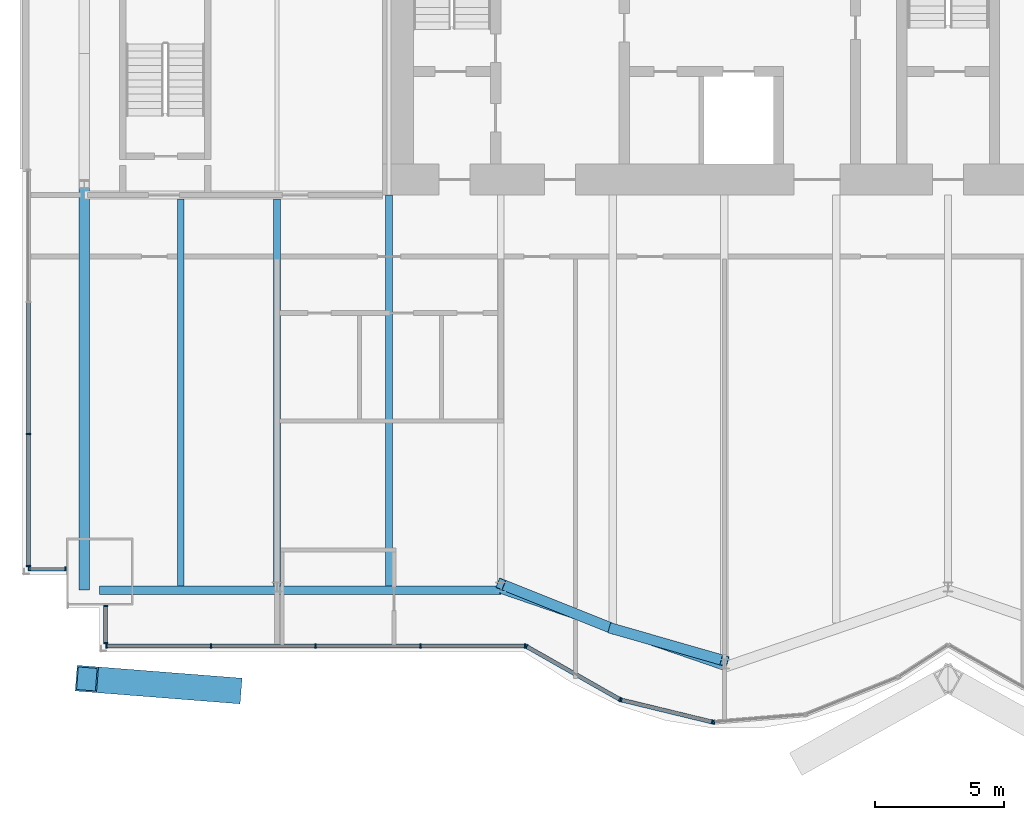
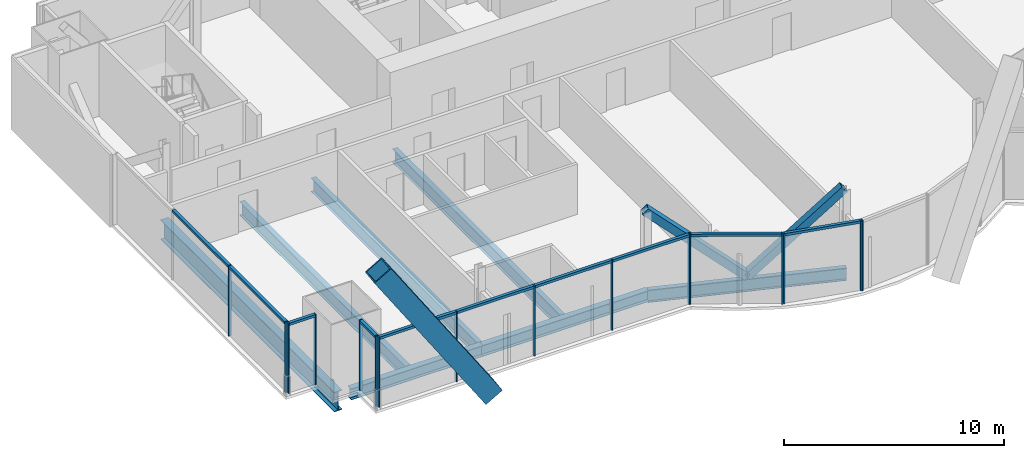
# One storey, part 5 of 20: 29 members, 7 beams, 5 elements without a shape of their own.
"""IFC4 building model written with IfcOpenShell, lengths in metres."""

import ifcopenshell
import ifcopenshell.guid

model = None  # the IFC model being written
_history = None  # IfcOwnerHistory: only IFC2X3 demands one
_inside = {}  # id of a spatial element -> (the spatial element, [elements in it])
_under = {}  # id of a project, library or spatial element -> (it, [spatial elements below it])
_declared = {}  # id of a project -> (the project, [libraries it declares])
_typed = {}  # id of a type object -> (the type object, [elements of that type])
_made_of = {}  # id of a material, layer set ... -> (it, [elements and type objects made of it])


def new_model(schema):
    """Start an empty IFC model of exactly this schema.

    Asked for "IFC4X3", IfcOpenShell would pick the latest addendum, in which some entities
    have other attributes; the version numbers below select the first issue.
    IFC2X3 requires an IfcOwnerHistory on every rooted entity: one is made here for all.
    """
    global model, _history
    if schema == "IFC4X3":
        model = ifcopenshell.file(schema_version=(4, 3, 0, 0))
    else:
        model = ifcopenshell.file(schema=schema)
    _inside.clear()
    _under.clear()
    _declared.clear()
    _typed.clear()
    _made_of.clear()
    _history = None
    if model.schema == "IFC2X3":
        org = make("IfcOrganization", Name="unknown")
        user = make(
            "IfcPersonAndOrganization",
            ThePerson=make("IfcPerson", FamilyName="unknown"),
            TheOrganization=org,
        )
        app = make(
            "IfcApplication",
            ApplicationDeveloper=org,
            Version="unknown",
            ApplicationFullName="unknown",
            ApplicationIdentifier="unknown",
        )
        _history = make(
            "IfcOwnerHistory",
            OwningUser=user,
            OwningApplication=app,
            ChangeAction="ADDED",
            CreationDate=0,
        )
    return model


def make(cls, **values):
    """One entity of the class cls with the attributes given. An attribute that is None is left unset."""
    return model.create_entity(
        cls, **{name: value for name, value in values.items() if value is not None}
    )


def rooted(cls, **values):
    """An entity with a GlobalId (a new one), such as an element, a storey or a relation."""
    return make(cls, GlobalId=ifcopenshell.guid.new(), OwnerHistory=_history, **values)


def si_unit(unit_type, name, prefix=None):
    """IfcSIUnit, for example si_unit("LENGTHUNIT", "METRE", prefix="MILLI")."""
    return make("IfcSIUnit", UnitType=unit_type, Prefix=prefix, Name=name)


def assignment(units):
    """IfcUnitAssignment: the units of a project."""
    return None if units is None else make("IfcUnitAssignment", Units=units)


def point(xyz):
    """IfcCartesianPoint."""
    return None if xyz is None else make("IfcCartesianPoint", Coordinates=xyz)


def direction(xyz):
    """IfcDirection."""
    return None if xyz is None else make("IfcDirection", DirectionRatios=xyz)


def frame(location, z_axis=None, x_axis=None):
    """IfcAxis2Placement3D, a coordinate frame: its origin and axes. An axis left out is left unset."""
    return make(
        "IfcAxis2Placement3D",
        Location=point(location),
        Axis=direction(z_axis),
        RefDirection=direction(x_axis),
    )


def frame_2d(location, x_axis=None):
    """IfcAxis2Placement2D, a coordinate frame in the plane: its origin and x axis."""
    return make(
        "IfcAxis2Placement2D", Location=point(location), RefDirection=direction(x_axis)
    )


def origin():
    """The frame at (0, 0, 0) with its axes left unset."""
    return frame((0.0, 0.0, 0.0))


def origin_2d():
    """The frame at (0, 0) in the plane with its x axis left unset."""
    return frame_2d((0.0, 0.0))


def place(relative_to, where):
    """IfcLocalPlacement: puts the frame where relative to a parent placement (None: the world)."""
    return make(
        "IfcLocalPlacement", PlacementRelTo=relative_to, RelativePlacement=where
    )


def context(
    kind, dimensions, precision=None, world=None, true_north=None, identifier=None
):
    """IfcGeometricRepresentationContext, for example the 3D "Model" context."""
    return make(
        "IfcGeometricRepresentationContext",
        ContextIdentifier=identifier,
        ContextType=kind,
        CoordinateSpaceDimension=dimensions,
        Precision=precision,
        WorldCoordinateSystem=world,
        TrueNorth=true_north,
    )


def subcontext(parent, identifier, kind, view, scale=None):
    """IfcGeometricRepresentationSubContext, for example "Body" below "Model"."""
    return make(
        "IfcGeometricRepresentationSubContext",
        ContextIdentifier=identifier,
        ContextType=kind,
        ParentContext=parent,
        TargetScale=scale,
        TargetView=view,
    )


def project(units=None, contexts=None):
    """IfcProject with its units and contexts."""
    return rooted(
        "IfcProject",
        Name="project",
        RepresentationContexts=contexts,
        UnitsInContext=assignment(units),
    )


def spatial(cls, under=None, at=None, **own):
    """A site, building, storey or space (cls), placed at a placement, below another one or the project."""
    s = rooted(cls, ObjectPlacement=at, **own)
    if under is not None:
        _under.setdefault(under.id(), (under, []))[1].append(s)
    return s


def profile(cls, at=None, kind="AREA", **sizes):
    """A parametric profile (cls). Its sizes go by their IFC names, for example OverallWidth=200.0."""
    return make(cls, ProfileType=kind, Position=at, **sizes)


def rectangle(**sizes):
    """IfcRectangleProfileDef."""
    return profile("IfcRectangleProfileDef", **sizes)


def hollow_rectangle(**sizes):
    """IfcRectangleHollowProfileDef."""
    return profile("IfcRectangleHollowProfileDef", **sizes)


def i_section(**sizes):
    """IfcIShapeProfileDef."""
    return profile("IfcIShapeProfileDef", **sizes)


def extrude(swept, where, along, depth):
    """IfcExtrudedAreaSolid: the profile swept, set in the frame where, extruded along a direction by depth."""
    return make(
        "IfcExtrudedAreaSolid",
        SweptArea=swept,
        Position=where,
        ExtrudedDirection=direction(along),
        Depth=depth,
    )


def shape(context_of_items, identifier, shape_type, items):
    """IfcShapeRepresentation: the items that make up one representation, for example the "Body"."""
    return make(
        "IfcShapeRepresentation",
        ContextOfItems=context_of_items,
        RepresentationIdentifier=identifier,
        RepresentationType=shape_type,
        Items=items,
    )


def material(Name=None, Category=None):
    """IfcMaterial."""
    return make("IfcMaterial", Name=Name, Category=Category)


def material_profile(
    of_material, cross_section, Name=None, Category=None, Priority=None
):
    """IfcMaterialProfile: a cross section and its material."""
    return make(
        "IfcMaterialProfile",
        Name=Name,
        Material=of_material,
        Profile=cross_section,
        Priority=Priority,
        Category=Category,
    )


def profile_set(profiles, Name=None, composite=None):
    """IfcMaterialProfileSet."""
    return make(
        "IfcMaterialProfileSet",
        Name=Name,
        MaterialProfiles=profiles,
        CompositeProfile=composite,
    )


def made_of(thing, what):
    """Note that an element or type object is made of a material, layer set ...; save() writes the relation."""
    if what is not None:
        _made_of.setdefault(what.id(), (what, []))[1].append(thing)
    return thing


def type_object(cls, material=None, **own):
    """A type object (cls), such as IfcWallType, which elements share."""
    return made_of(rooted(cls, **own), material)


def element(
    cls,
    number,
    at=None,
    inside=None,
    cuts=None,
    type_object=None,
    material=None,
    context=None,
    identifier="Body",
    shape_type=None,
    held_by="IfcProductDefinitionShape",
    body=None,
    shapes=None,
    **own,
):
    """One element of the class cls, such as IfcWall. Its Tag is "e" and its number.

    at: its placement. inside: the storey or other place that contains it. cuts: it is an
    opening in that element (IfcRelVoidsElement). A single representation is given by context,
    identifier, shape_type and body (its items); several are given by shapes. held_by: the class
    of the entity that holds the representations. save() writes the other relations.
    """
    e = rooted(cls, Tag="e%d" % number, ObjectPlacement=at, **own)
    if body is not None:
        shapes = [shape(context, identifier, shape_type, body)]
    if shapes is not None:
        e.Representation = make(held_by, Representations=shapes)
    if inside is not None:
        _inside.setdefault(inside.id(), (inside, []))[1].append(e)
    if cuts is not None:
        rooted(
            "IfcRelVoidsElement", RelatingBuildingElement=cuts, RelatedOpeningElement=e
        )
    if type_object is not None:
        _typed.setdefault(type_object.id(), (type_object, []))[1].append(e)
    return made_of(e, material)


def aggregate(whole, parts):
    """IfcRelAggregates: a whole, such as a stair, and the parts it consists of."""
    return rooted("IfcRelAggregates", RelatingObject=whole, RelatedObjects=parts)


def save(model, path):
    """Write the relations noted so far, then the file.

    IfcRelAggregates (storeys below a building ...), IfcRelContainedInSpatialStructure (elements
    in a storey), IfcRelDefinesByType, IfcRelAssociatesMaterial and IfcRelDeclares: one each for
    every whole, place, type object, material and project.
    """
    for whole, parts in _under.values():
        aggregate(whole, parts)
    for where, things in _inside.values():
        rooted(
            "IfcRelContainedInSpatialStructure",
            RelatedElements=things,
            RelatingStructure=where,
        )
    for kind, things in _typed.values():
        rooted("IfcRelDefinesByType", RelatedObjects=things, RelatingType=kind)
    for what, things in _made_of.values():
        rooted("IfcRelAssociatesMaterial", RelatedObjects=things, RelatingMaterial=what)
    for by, libraries in _declared.values():
        rooted("IfcRelDeclares", RelatingContext=by, RelatedDefinitions=libraries)
    model.write(path)


model = new_model("IFC4")

# Units and contexts
model_context = context("Model", 3, precision=1e-05, world=origin(), true_north=direction((0.0, 1.0)))
body_context = subcontext(model_context, "Body", "Model", "MODEL_VIEW")
ifc_project = project(units=[si_unit("LENGTHUNIT", "METRE"), si_unit("AREAUNIT", "SQUARE_METRE"), si_unit("VOLUMEUNIT", "CUBIC_METRE"), si_unit("PLANEANGLEUNIT", "RADIAN"), si_unit("MASSUNIT", "GRAM", prefix="KILO")], contexts=[model_context])

# Site, building, storey
site_placement = place(None, origin())
site = spatial("IfcSite", under=ifc_project, at=site_placement, CompositionType="ELEMENT")
building_placement = place(site_placement, origin())
building = spatial("IfcBuilding", under=site, at=building_placement, Name="Bicima Exchange Tower", CompositionType="ELEMENT")
storey_placement = place(building_placement, frame((0.0, 0.0, 231.89990234375)))
storey = spatial("IfcBuildingStorey", under=building, at=storey_placement, Name="L52", CompositionType="ELEMENT", Elevation=231.89990234375)

# Curtain wall, members
ifc_material_1 = material(Name="Anodised bronze aluminium", Category="aluminium")
curtain_wall_type_1 = type_object("IfcCurtainWallType", Name="End face glass wall", PredefinedType="NOTDEFINED", material=ifc_material_1)
curtain_wall_1_placement = place(storey_placement, origin())
curtain_wall_1 = element("IfcCurtainWall", 1, at=curtain_wall_1_placement, inside=storey, type_object=curtain_wall_type_1, Name="End face glass wall L52 run 2", PredefinedType="NOTDEFINED")
ifc_material_profile_1 = material_profile(ifc_material_1, rectangle(XDim=0.159912109375, YDim=0.06005859375, at=origin_2d()))
ifc_profile_set_1 = profile_set([ifc_material_profile_1], Name="Anodised bronze aluminium")
member_type_1 = type_object("IfcMemberType", Name="End face glass wall mullion 60 x 160", PredefinedType="MULLION", material=ifc_profile_set_1)
member_1_placement = place(storey_placement, frame((-35.77001953125, -22.30078125, 0.0), z_axis=(0.0, 0.0, 1.0), x_axis=(1.0, 0.0, 0.0)))
member_1 = element("IfcMember", 2, at=member_1_placement, type_object=member_type_1, Name="End face glass wall mullion 3", PredefinedType="MULLION", context=body_context, shape_type="SweptSolid", body=[
    extrude(rectangle(XDim=0.159912109375, YDim=0.06005859375, at=origin_2d()), origin(), (0.0, 0.0, 1.0), 3.900146484375),
])
member_2_placement = place(storey_placement, frame((-35.77001953125, -27.43603515625, 0.0), z_axis=(0.0, 0.0, 1.0), x_axis=(1.0, 0.0, 0.0)))
member_2 = element("IfcMember", 3, at=member_2_placement, type_object=member_type_1, Name="End face glass wall mullion 4", PredefinedType="MULLION", context=body_context, shape_type="SweptSolid", body=[
    extrude(rectangle(XDim=0.159912109375, YDim=0.06005859375, at=origin_2d()), origin(), (0.0, 0.0, 1.0), 3.900146484375),
])
ifc_material_profile_2 = material_profile(ifc_material_1, rectangle(XDim=0.159912109375, YDim=0.139892578125, at=origin_2d()))
ifc_profile_set_2 = profile_set([ifc_material_profile_2], Name="Anodised bronze aluminium")
member_type_2 = type_object("IfcMemberType", Name="End face glass wall transom 140 x 160", PredefinedType="USERDEFINED", material=ifc_profile_set_2)
member_3_placement = place(storey_placement, frame((-35.77001953125, -17.1953125, 3.830078125), z_axis=(0.0, -1.0, 0.0), x_axis=(1.0, 0.0, 0.0)))
member_3 = element("IfcMember", 4, at=member_3_placement, type_object=member_type_2, Name="End face glass wall transom 2.1", ObjectType="TRANSOM", PredefinedType="USERDEFINED", context=body_context, shape_type="SweptSolid", body=[
    extrude(rectangle(XDim=0.159912109375, YDim=0.139892578125, at=origin_2d()), origin(), (0.0, 0.0, 1.0), 5.075439453125),
])
member_4_placement = place(storey_placement, frame((-35.77001953125, -22.330810546875, 3.830078125), z_axis=(0.0, -1.0, 0.0), x_axis=(1.0, 0.0, 0.0)))
member_4 = element("IfcMember", 5, at=member_4_placement, type_object=member_type_2, Name="End face glass wall transom 3.1", ObjectType="TRANSOM", PredefinedType="USERDEFINED", context=body_context, shape_type="SweptSolid", body=[
    extrude(rectangle(XDim=0.159912109375, YDim=0.139892578125, at=origin_2d()), origin(), (0.0, 0.0, 1.0), 5.0751953125),
])
aggregate(curtain_wall_1, [member_1, member_2, member_3, member_4])

# Beam
ifc_material_2 = material(Name="Steel ASTM A992 Gr 50", Category="steel")
ifc_material_profile_3 = material_profile(ifc_material_2, i_section(OverallWidth=0.4013671875, OverallDepth=1.089599609375, WebThickness=0.01806640625, FlangeThickness=0.031005859375, at=origin_2d()))
ifc_profile_set_3 = profile_set([ifc_material_profile_3], Name="Steel ASTM A992 Gr 50")
beam_type_1 = type_object("IfcBeamType", Name="End girder W44x230", PredefinedType="BEAM", material=ifc_profile_set_3)
beam_1_placement = place(storey_placement, frame((-33.60009765625, -12.60009765625, -0.69482421875), z_axis=(0.0, -1.0, 0.0), x_axis=(1.0, 0.0, 0.0)))
element("IfcBeam", 6, at=beam_1_placement, inside=storey, type_object=beam_type_1, Name="End girder", PredefinedType="BEAM", context=body_context, shape_type="SweptSolid", body=[
    extrude(i_section(OverallWidth=0.4013671875, OverallDepth=1.089599609375, WebThickness=0.01806640625, FlangeThickness=0.031005859375, at=origin_2d()), origin(), (0.0, 0.0, 1.0), 15.77587890625),
])

# Member
ifc_material_3 = material(Name="Steel ASTM A572 Gr 50", Category="steel")
ifc_material_profile_4 = material_profile(ifc_material_3, hollow_rectangle(XDim=1.0, YDim=1.0, WallThickness=0.06005859375, at=origin_2d()))
ifc_profile_set_4 = profile_set([ifc_material_profile_4], Name="Steel ASTM A572 Gr 50")
member_type_3 = type_object("IfcMemberType", Name="Exo mega brace BOX 1000x1000x60", PredefinedType="BRACE", material=ifc_profile_set_4)
member_5_placement = place(storey_placement, frame((-27.916748046875, -32.26513671875, 0.183349609375), z_axis=(-0.552269884762, 0.043178912675, 0.832546428666), x_axis=(-0.077946568622, -0.996957537932, 0.0)))
element("IfcMember", 7, at=member_5_placement, inside=storey, type_object=member_type_3, Name="Exo mega brace front", PredefinedType="BRACE", context=body_context, shape_type="SweptSolid", body=[
    extrude(hollow_rectangle(XDim=1.0, YDim=1.0, WallThickness=0.06005859375, at=origin_2d()), origin(), (0.0, 0.0, 1.0), 10.109619140625),
])

# Beams
ifc_material_profile_5 = material_profile(ifc_material_2, i_section(OverallWidth=0.2666015625, OverallDepth=0.75439453125, WebThickness=0.01318359375, FlangeThickness=0.01708984375, at=origin_2d()))
ifc_profile_set_5 = profile_set([ifc_material_profile_5], Name="Steel ASTM A992 Gr 50")
beam_type_2 = type_object("IfcBeamType", Name="Floor beam W30x99", PredefinedType="JOIST", material=ifc_profile_set_5)
for number, where, z_axis, x_axis, name in (
    (8, (-29.85009765625, -13.15234375, -0.527099609375), (0.0, -1.0, 0.0), (1.0, 0.0, 0.0), "Floor beam"),
    (9, (-26.10009765625, -13.15234375, -0.527099609375), (0.0, -1.0, 0.0), (1.0, 0.0, 0.0), "Floor beam"),
):
    element("IfcBeam", number, at=place(storey_placement, frame(where, z_axis=z_axis, x_axis=x_axis)), inside=storey, type_object=beam_type_2, Name=name, PredefinedType="JOIST", context=body_context, shape_type="SweptSolid", body=[
        extrude(i_section(OverallWidth=0.2666015625, OverallDepth=0.75439453125, WebThickness=0.01318359375, FlangeThickness=0.01708984375, at=origin_2d()), origin(), (0.0, 0.0, 1.0), 15.06103515625),
    ])
beam_2_placement = place(storey_placement, frame((-21.75, -13.0, -0.527099609375), z_axis=(0.0, -1.0, 0.0), x_axis=(1.0, 0.0, 0.0)))
element("IfcBeam", 10, at=beam_2_placement, inside=storey, type_object=beam_type_2, Name="Floor beam", PredefinedType="JOIST", context=body_context, shape_type="SweptSolid", body=[
    extrude(i_section(OverallWidth=0.2666015625, OverallDepth=0.75439453125, WebThickness=0.01318359375, FlangeThickness=0.01708984375, at=origin_2d()), origin(), (0.0, 0.0, 1.0), 15.21337890625),
])
ifc_material_profile_6 = material_profile(ifc_material_2, i_section(OverallWidth=0.3251953125, OverallDepth=0.612060546875, WebThickness=0.0126953125, FlangeThickness=0.01904296875, at=origin_2d()))
ifc_profile_set_6 = profile_set([ifc_material_profile_6], Name="Steel ASTM A992 Gr 50")
beam_type_3 = type_object("IfcBeamType", Name="Front girder W24x104", PredefinedType="BEAM", material=ifc_profile_set_6)
beam_3_placement = place(storey_placement, frame((-33.0, -28.3759765625, -0.4560546875), z_axis=(1.0, 0.0, 0.0), x_axis=(0.0, 1.0, 0.0)))
element("IfcBeam", 11, at=beam_3_placement, inside=storey, type_object=beam_type_3, Name="Front girder", PredefinedType="BEAM", context=body_context, shape_type="SweptSolid", body=[
    extrude(i_section(OverallWidth=0.3251953125, OverallDepth=0.612060546875, WebThickness=0.0126953125, FlangeThickness=0.01904296875, at=origin_2d()), origin(), (0.0, 0.0, 1.0), 6.89990234375),
])
beam_4_placement = place(storey_placement, frame((-26.10009765625, -28.3759765625, -0.4560546875), z_axis=(1.0, 0.0, 0.0), x_axis=(0.0, 1.0, 0.0)))
element("IfcBeam", 12, at=beam_4_placement, inside=storey, type_object=beam_type_3, Name="Front girder", PredefinedType="BEAM", context=body_context, shape_type="SweptSolid", body=[
    extrude(i_section(OverallWidth=0.3251953125, OverallDepth=0.612060546875, WebThickness=0.0126953125, FlangeThickness=0.01904296875, at=origin_2d()), origin(), (0.0, 0.0, 1.0), 8.7001953125),
])
ifc_material_profile_7 = material_profile(ifc_material_2, i_section(OverallWidth=0.256591796875, OverallDepth=0.693359375, WebThickness=0.014404296875, FlangeThickness=0.023681640625, at=origin_2d()))
ifc_profile_set_7 = profile_set([ifc_material_profile_7], Name="Steel ASTM A992 Gr 50")
beam_type_4 = type_object("IfcBeamType", Name="Front girder W27x114", PredefinedType="BEAM", material=ifc_profile_set_7)
beam_5_placement = place(storey_placement, frame((-17.39990234375, -28.3759765625, -0.49658203125), z_axis=(0.945666456746, -0.325138359143, 0.0), x_axis=(0.325138359143, 0.945666456746, 0.0)))
element("IfcBeam", 13, at=beam_5_placement, inside=storey, type_object=beam_type_4, Name="Front girder", PredefinedType="BEAM", context=body_context, shape_type="SweptSolid", body=[
    extrude(i_section(OverallWidth=0.256591796875, OverallDepth=0.693359375, WebThickness=0.014404296875, FlangeThickness=0.023681640625, at=origin_2d()), origin(), (0.0, 0.0, 1.0), 9.19970703125),
])

# Curtain wall, members
curtain_wall_type_2 = type_object("IfcCurtainWallType", Name="Front glass wall", PredefinedType="NOTDEFINED", material=ifc_material_1)
curtain_wall_2_placement = place(storey_placement, origin())
curtain_wall_2 = element("IfcCurtainWall", 14, at=curtain_wall_2_placement, inside=storey, type_object=curtain_wall_type_2, Name="Front glass wall L52 run 3", PredefinedType="NOTDEFINED")
member_type_4 = type_object("IfcMemberType", Name="Front glass wall mullion 60 x 160", PredefinedType="MULLION", material=ifc_profile_set_1)
member_6_placement = place(storey_placement, frame((-35.739990234375, -27.5458984375, 0.0), z_axis=(0.0, 0.0, 1.0), x_axis=(0.0, 1.0, 0.0)))
member_6 = element("IfcMember", 15, at=member_6_placement, type_object=member_type_4, Name="Front glass wall mullion 1", PredefinedType="MULLION", context=body_context, shape_type="SweptSolid", body=[
    extrude(rectangle(XDim=0.159912109375, YDim=0.06005859375, at=origin_2d()), origin(), (0.0, 0.0, 1.0), 3.900146484375),
])
member_7_placement = place(storey_placement, frame((-34.330078125, -27.5458984375, 0.0), z_axis=(0.0, 0.0, 1.0), x_axis=(0.0, 1.0, 0.0)))
member_7 = element("IfcMember", 16, at=member_7_placement, type_object=member_type_4, Name="Front glass wall mullion 2", PredefinedType="MULLION", context=body_context, shape_type="SweptSolid", body=[
    extrude(rectangle(XDim=0.159912109375, YDim=0.06005859375, at=origin_2d()), origin(), (0.0, 0.0, 1.0), 3.900146484375),
])

curtain_wall_3_placement = place(storey_placement, origin())
curtain_wall_3 = element("IfcCurtainWall", 17, at=curtain_wall_3_placement, inside=storey, type_object=curtain_wall_type_2, Name="Front glass wall L52 run 4", PredefinedType="NOTDEFINED")
member_8_placement = place(storey_placement, frame((-32.77001953125, -28.98388671875, 0.0), z_axis=(0.0, 0.0, 1.0), x_axis=(1.0, 0.0, 0.0)))
member_8 = element("IfcMember", 18, at=member_8_placement, type_object=member_type_4, Name="Front glass wall mullion 1", PredefinedType="MULLION", context=body_context, shape_type="SweptSolid", body=[
    extrude(rectangle(XDim=0.159912109375, YDim=0.06005859375, at=origin_2d()), origin(), (0.0, 0.0, 1.0), 3.900146484375),
])
member_9_placement = place(storey_placement, frame((-32.77001953125, -30.43603515625, 0.0), z_axis=(0.0, 0.0, 1.0), x_axis=(1.0, 0.0, 0.0)))
member_9 = element("IfcMember", 19, at=member_9_placement, type_object=member_type_4, Name="Front glass wall mullion 2", PredefinedType="MULLION", context=body_context, shape_type="SweptSolid", body=[
    extrude(rectangle(XDim=0.159912109375, YDim=0.06005859375, at=origin_2d()), origin(), (0.0, 0.0, 1.0), 3.900146484375),
])

curtain_wall_4_placement = place(storey_placement, origin())
curtain_wall_4 = element("IfcCurtainWall", 20, at=curtain_wall_4_placement, inside=storey, type_object=curtain_wall_type_2, Name="Front glass wall L52 run 5", PredefinedType="NOTDEFINED")
member_10_placement = place(storey_placement, frame((-32.739990234375, -30.5458984375, 0.0), z_axis=(0.0, 0.0, 1.0), x_axis=(0.0, 1.0, 0.0)))
member_10 = element("IfcMember", 21, at=member_10_placement, type_object=member_type_4, Name="Front glass wall mullion 1", PredefinedType="MULLION", context=body_context, shape_type="SweptSolid", body=[
    extrude(rectangle(XDim=0.159912109375, YDim=0.06005859375, at=origin_2d()), origin(), (0.0, 0.0, 1.0), 3.900146484375),
])
member_11_placement = place(storey_placement, frame((-28.67041015625, -30.5458984375, 0.0), z_axis=(0.0, 0.0, 1.0), x_axis=(0.0, 1.0, 0.0)))
member_11 = element("IfcMember", 22, at=member_11_placement, type_object=member_type_4, Name="Front glass wall mullion 2", PredefinedType="MULLION", context=body_context, shape_type="SweptSolid", body=[
    extrude(rectangle(XDim=0.159912109375, YDim=0.06005859375, at=origin_2d()), origin(), (0.0, 0.0, 1.0), 3.900146484375),
])
member_12_placement = place(storey_placement, frame((-24.60107421875, -30.5458984375, 0.0), z_axis=(0.0, 0.0, 1.0), x_axis=(0.0, 1.0, 0.0)))
member_12 = element("IfcMember", 23, at=member_12_placement, type_object=member_type_4, Name="Front glass wall mullion 3", PredefinedType="MULLION", context=body_context, shape_type="SweptSolid", body=[
    extrude(rectangle(XDim=0.159912109375, YDim=0.06005859375, at=origin_2d()), origin(), (0.0, 0.0, 1.0), 3.900146484375),
])
member_13_placement = place(storey_placement, frame((-20.531494140625, -30.5458984375, 0.0), z_axis=(0.0, 0.0, 1.0), x_axis=(0.0, 1.0, 0.0)))
member_13 = element("IfcMember", 24, at=member_13_placement, type_object=member_type_4, Name="Front glass wall mullion 4", PredefinedType="MULLION", context=body_context, shape_type="SweptSolid", body=[
    extrude(rectangle(XDim=0.159912109375, YDim=0.06005859375, at=origin_2d()), origin(), (0.0, 0.0, 1.0), 3.900146484375),
])
member_14_placement = place(storey_placement, frame((-16.462158203125, -30.5458984375, 0.0), z_axis=(0.0, 0.0, 1.0), x_axis=(0.0, 1.0, 0.0)))
member_14 = element("IfcMember", 25, at=member_14_placement, type_object=member_type_4, Name="Front glass wall mullion 5", PredefinedType="MULLION", context=body_context, shape_type="SweptSolid", body=[
    extrude(rectangle(XDim=0.159912109375, YDim=0.06005859375, at=origin_2d()), origin(), (0.0, 0.0, 1.0), 3.900146484375),
])

curtain_wall_5_placement = place(storey_placement, origin())
curtain_wall_5 = element("IfcCurtainWall", 26, at=curtain_wall_5_placement, inside=storey, type_object=curtain_wall_type_2, Name="Front glass wall L52 run 6", PredefinedType="NOTDEFINED")
member_15_placement = place(storey_placement, frame((-16.406005859375, -30.560791015625, 0.0), z_axis=(0.0, 0.0, 1.0), x_axis=(0.493395449343, 0.869805110681, 0.0)))
member_15 = element("IfcMember", 27, at=member_15_placement, type_object=member_type_4, Name="Front glass wall mullion 1", PredefinedType="MULLION", context=body_context, shape_type="SweptSolid", body=[
    extrude(rectangle(XDim=0.159912109375, YDim=0.06005859375, at=origin_2d()), origin(), (0.0, 0.0, 1.0), 3.900146484375),
])
member_16_placement = place(storey_placement, frame((-12.7734375, -32.621337890625, 0.0), z_axis=(0.0, 0.0, 1.0), x_axis=(0.493395449343, 0.869805110681, 0.0)))
member_16 = element("IfcMember", 28, at=member_16_placement, type_object=member_type_4, Name="Front glass wall mullion 2", PredefinedType="MULLION", context=body_context, shape_type="SweptSolid", body=[
    extrude(rectangle(XDim=0.159912109375, YDim=0.06005859375, at=origin_2d()), origin(), (0.0, 0.0, 1.0), 3.900146484375),
])
member_17_placement = place(storey_placement, frame((-12.718017578125, -32.643310546875, 0.0), z_axis=(0.0, 0.0, 1.0), x_axis=(0.235681529503, 0.971830343553, 0.0)))
member_17 = element("IfcMember", 29, at=member_17_placement, type_object=member_type_4, Name="Front glass wall mullion 1", PredefinedType="MULLION", context=body_context, shape_type="SweptSolid", body=[
    extrude(rectangle(XDim=0.159912109375, YDim=0.06005859375, at=origin_2d()), origin(), (0.0, 0.0, 1.0), 3.900146484375),
])
member_18_placement = place(storey_placement, frame((-9.177490234375, -33.501953125, 0.0), z_axis=(0.0, 0.0, 1.0), x_axis=(0.235681529503, 0.971830343553, 0.0)))
member_18 = element("IfcMember", 30, at=member_18_placement, type_object=member_type_4, Name="Front glass wall mullion 2", PredefinedType="MULLION", context=body_context, shape_type="SweptSolid", body=[
    extrude(rectangle(XDim=0.159912109375, YDim=0.06005859375, at=origin_2d()), origin(), (0.0, 0.0, 1.0), 3.900146484375),
])
member_19_placement = place(storey_placement, frame((-9.118408203125, -33.506591796875, 0.0), z_axis=(0.0, 0.0, 1.0), x_axis=(-0.080588612633, 0.99674744821, 0.0)))
member_19 = element("IfcMember", 31, at=member_19_placement, type_object=member_type_4, Name="Front glass wall mullion 1", PredefinedType="MULLION", context=body_context, shape_type="SweptSolid", body=[
    extrude(rectangle(XDim=0.159912109375, YDim=0.06005859375, at=origin_2d()), origin(), (0.0, 0.0, 1.0), 3.900146484375),
])

# Member
member_type_5 = type_object("IfcMemberType", Name="Front glass wall transom 140 x 160", PredefinedType="USERDEFINED", material=ifc_profile_set_2)
member_20_placement = place(storey_placement, frame((-35.7099609375, -27.5458984375, 3.830078125), z_axis=(1.0, 0.0, 0.0), x_axis=(0.0, 1.0, 0.0)))
member_20 = element("IfcMember", 32, at=member_20_placement, type_object=member_type_5, Name="Front glass wall transom 1.1", ObjectType="TRANSOM", PredefinedType="USERDEFINED", context=body_context, shape_type="SweptSolid", body=[
    extrude(rectangle(XDim=0.159912109375, YDim=0.139892578125, at=origin_2d()), origin(), (0.0, 0.0, 1.0), 1.349853515625),
])

aggregate(curtain_wall_2, [member_6, member_7, member_20])

member_21_placement = place(storey_placement, frame((-32.77001953125, -29.013916015625, 3.830078125), z_axis=(0.0, -1.0, 0.0), x_axis=(1.0, 0.0, 0.0)))
member_21 = element("IfcMember", 33, at=member_21_placement, type_object=member_type_5, Name="Front glass wall transom 1.1", ObjectType="TRANSOM", PredefinedType="USERDEFINED", context=body_context, shape_type="SweptSolid", body=[
    extrude(rectangle(XDim=0.159912109375, YDim=0.139892578125, at=origin_2d()), origin(), (0.0, 0.0, 1.0), 1.39208984375),
])

aggregate(curtain_wall_3, [member_8, member_9, member_21])

member_22_placement = place(storey_placement, frame((-32.7099609375, -30.5458984375, 3.830078125), z_axis=(1.0, 0.0, 0.0), x_axis=(0.0, 1.0, 0.0)))
member_22 = element("IfcMember", 34, at=member_22_placement, type_object=member_type_5, Name="Front glass wall transom 1.1", ObjectType="TRANSOM", PredefinedType="USERDEFINED", context=body_context, shape_type="SweptSolid", body=[
    extrude(rectangle(XDim=0.159912109375, YDim=0.139892578125, at=origin_2d()), origin(), (0.0, 0.0, 1.0), 4.009521484375),
])

member_23_placement = place(storey_placement, frame((-28.640380859375, -30.5458984375, 3.830078125), z_axis=(1.0, 0.0, 0.0), x_axis=(0.0, 1.0, 0.0)))
member_23 = element("IfcMember", 35, at=member_23_placement, type_object=member_type_5, Name="Front glass wall transom 2.1", ObjectType="TRANSOM", PredefinedType="USERDEFINED", context=body_context, shape_type="SweptSolid", body=[
    extrude(rectangle(XDim=0.159912109375, YDim=0.139892578125, at=origin_2d()), origin(), (0.0, 0.0, 1.0), 4.00927734375),
])

member_24_placement = place(storey_placement, frame((-24.571044921875, -30.5458984375, 3.830078125), z_axis=(1.0, 0.0, 0.0), x_axis=(0.0, 1.0, 0.0)))
member_24 = element("IfcMember", 36, at=member_24_placement, type_object=member_type_5, Name="Front glass wall transom 3.1", ObjectType="TRANSOM", PredefinedType="USERDEFINED", context=body_context, shape_type="SweptSolid", body=[
    extrude(rectangle(XDim=0.159912109375, YDim=0.139892578125, at=origin_2d()), origin(), (0.0, 0.0, 1.0), 4.009521484375),
])

member_25_placement = place(storey_placement, frame((-20.501708984375, -30.5458984375, 3.830078125), z_axis=(1.0, 0.0, 0.0), x_axis=(0.0, 1.0, 0.0)))
member_25 = element("IfcMember", 37, at=member_25_placement, type_object=member_type_5, Name="Front glass wall transom 4.1", ObjectType="TRANSOM", PredefinedType="USERDEFINED", context=body_context, shape_type="SweptSolid", body=[
    extrude(rectangle(XDim=0.159912109375, YDim=0.139892578125, at=origin_2d()), origin(), (0.0, 0.0, 1.0), 4.009521484375),
])

aggregate(curtain_wall_4, [member_10, member_11, member_12, member_13, member_14, member_22, member_23, member_24, member_25])

member_26_placement = place(storey_placement, frame((-16.3798828125, -30.57568359375, 3.830078125), z_axis=(0.869797371721, -0.49340909208, 0.0), x_axis=(0.49340909208, 0.869797371721, 0.0)))
member_26 = element("IfcMember", 38, at=member_26_placement, type_object=member_type_5, Name="Front glass wall transom 1.1", ObjectType="TRANSOM", PredefinedType="USERDEFINED", context=body_context, shape_type="SweptSolid", body=[
    extrude(rectangle(XDim=0.159912109375, YDim=0.139892578125, at=origin_2d()), origin(), (0.0, 0.0, 1.0), 4.1162109375),
])

member_27_placement = place(storey_placement, frame((-12.68896484375, -32.650390625, 3.830078125), z_axis=(0.971833557815, -0.235668275132, 0.0), x_axis=(0.235668275132, 0.971833557815, 0.0)))
member_27 = element("IfcMember", 39, at=member_27_placement, type_object=member_type_5, Name="Front glass wall transom 1.1", ObjectType="TRANSOM", PredefinedType="USERDEFINED", context=body_context, shape_type="SweptSolid", body=[
    extrude(rectangle(XDim=0.159912109375, YDim=0.139892578125, at=origin_2d()), origin(), (0.0, 0.0, 1.0), 3.583251953125),
])

aggregate(curtain_wall_5, [member_15, member_16, member_26, member_17, member_18, member_27, member_19])

# Members
ifc_material_profile_8 = material_profile(ifc_material_3, hollow_rectangle(XDim=0.406494140625, YDim=0.406494140625, WallThickness=0.0146484375, at=origin_2d()))
ifc_profile_set_8 = profile_set([ifc_material_profile_8], Name="Steel ASTM A572 Gr 50")
member_type_6 = type_object("IfcMemberType", Name="Mega brace HSS16x16x5/8", PredefinedType="BRACE", material=ifc_profile_set_8)
member_28_placement = place(storey_placement, frame((-13.050048828125, -29.87158203125, 0.0), z_axis=(0.712266893938, -0.204909647453, 0.671332933931), x_axis=(0.276473064615, 0.961021667052, 0.0)))
element("IfcMember", 40, at=member_28_placement, inside=storey, type_object=member_type_6, Name="Mega brace front", PredefinedType="BRACE", context=body_context, shape_type="SweptSolid", body=[
    extrude(hollow_rectangle(XDim=0.406494140625, YDim=0.406494140625, WallThickness=0.0146484375, at=origin_2d()), origin(), (0.0, 0.0, 1.0), 6.107421875),
])
member_29_placement = place(storey_placement, frame((-13.050048828125, -29.87158203125, 0.0), z_axis=(-0.69870612412, 0.279411861388, 0.658588463179), x_axis=(-0.371309808925, -0.928509033772, 0.0)))
element("IfcMember", 41, at=member_29_placement, inside=storey, type_object=member_type_6, Name="Mega brace front", PredefinedType="BRACE", context=body_context, shape_type="SweptSolid", body=[
    extrude(hollow_rectangle(XDim=0.406494140625, YDim=0.406494140625, WallThickness=0.0146484375, at=origin_2d()), origin(), (0.0, 0.0, 1.0), 6.2255859375),
])

save(model, "model.ifc")
